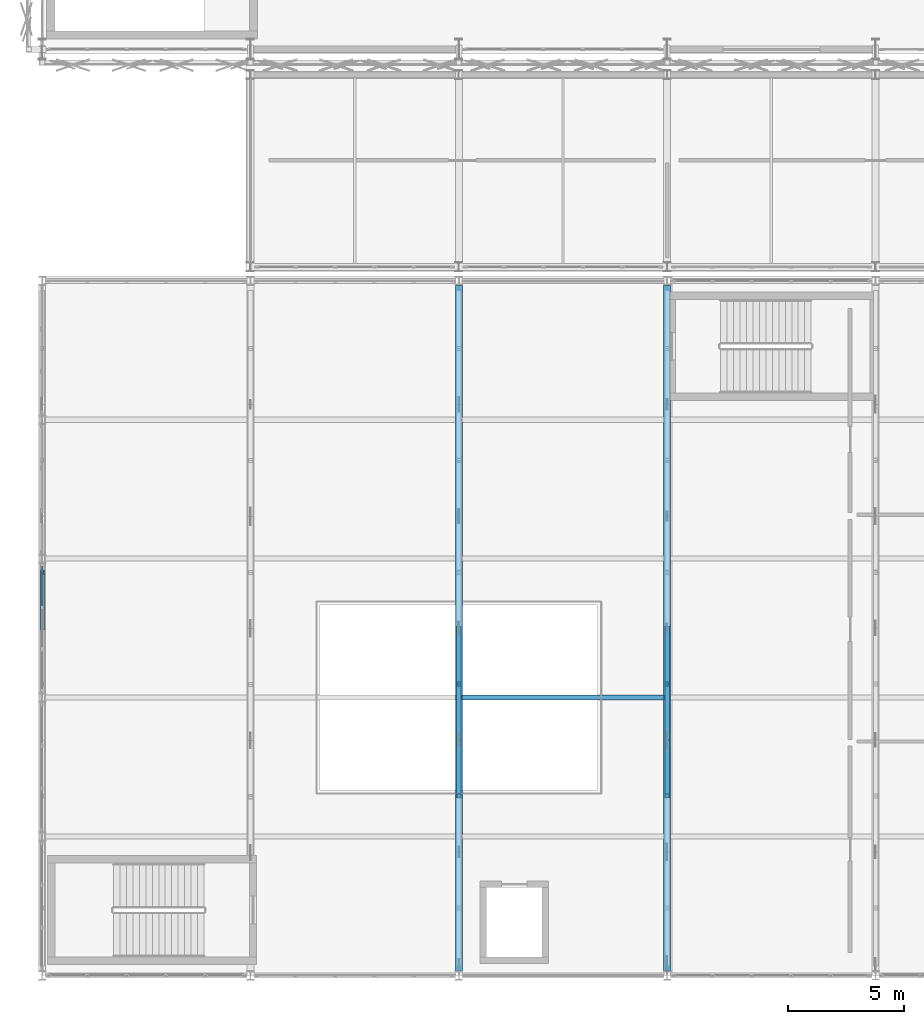
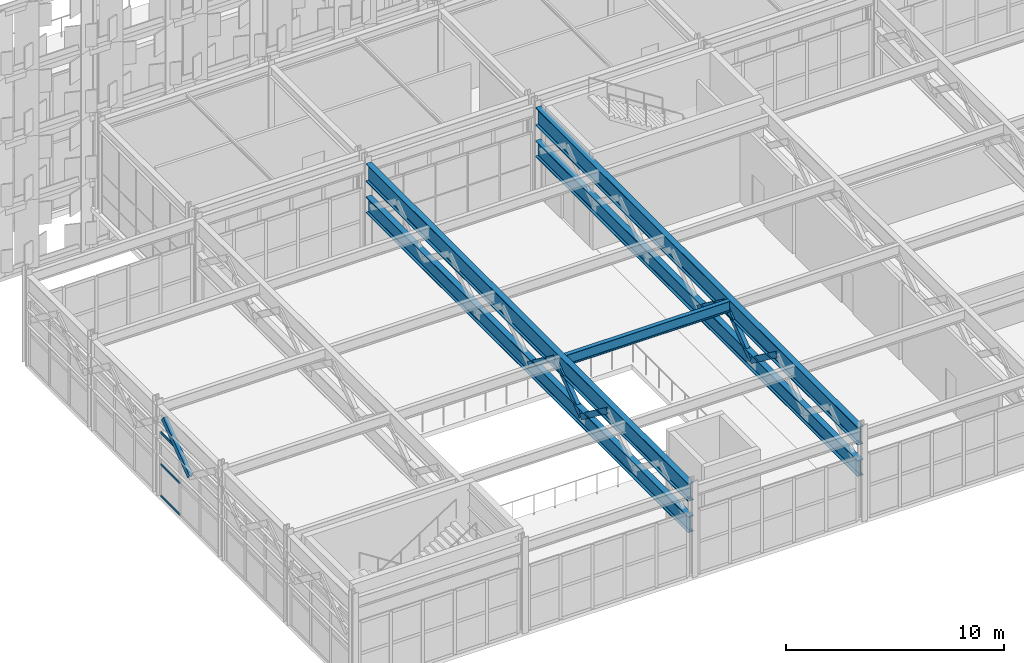
# One storey, part 28 of 210: 10 members, 5 beams, 1 element without a shape of its own.
"""IFC4 building model written with IfcOpenShell, lengths in metres."""

import ifcopenshell
import ifcopenshell.guid

model = None  # the IFC model being written
_history = None  # IfcOwnerHistory: only IFC2X3 demands one
_inside = {}  # id of a spatial element -> (the spatial element, [elements in it])
_under = {}  # id of a project, library or spatial element -> (it, [spatial elements below it])
_declared = {}  # id of a project -> (the project, [libraries it declares])
_typed = {}  # id of a type object -> (the type object, [elements of that type])
_made_of = {}  # id of a material, layer set ... -> (it, [elements and type objects made of it])


def new_model(schema):
    """Start an empty IFC model of exactly this schema.

    Asked for "IFC4X3", IfcOpenShell would pick the latest addendum, in which some entities
    have other attributes; the version numbers below select the first issue.
    IFC2X3 requires an IfcOwnerHistory on every rooted entity: one is made here for all.
    """
    global model, _history
    if schema == "IFC4X3":
        model = ifcopenshell.file(schema_version=(4, 3, 0, 0))
    else:
        model = ifcopenshell.file(schema=schema)
    _inside.clear()
    _under.clear()
    _declared.clear()
    _typed.clear()
    _made_of.clear()
    _history = None
    if model.schema == "IFC2X3":
        org = make("IfcOrganization", Name="unknown")
        user = make(
            "IfcPersonAndOrganization",
            ThePerson=make("IfcPerson", FamilyName="unknown"),
            TheOrganization=org,
        )
        app = make(
            "IfcApplication",
            ApplicationDeveloper=org,
            Version="unknown",
            ApplicationFullName="unknown",
            ApplicationIdentifier="unknown",
        )
        _history = make(
            "IfcOwnerHistory",
            OwningUser=user,
            OwningApplication=app,
            ChangeAction="ADDED",
            CreationDate=0,
        )
    return model


def make(cls, **values):
    """One entity of the class cls with the attributes given. An attribute that is None is left unset."""
    return model.create_entity(
        cls, **{name: value for name, value in values.items() if value is not None}
    )


def rooted(cls, **values):
    """An entity with a GlobalId (a new one), such as an element, a storey or a relation."""
    return make(cls, GlobalId=ifcopenshell.guid.new(), OwnerHistory=_history, **values)


def si_unit(unit_type, name, prefix=None):
    """IfcSIUnit, for example si_unit("LENGTHUNIT", "METRE", prefix="MILLI")."""
    return make("IfcSIUnit", UnitType=unit_type, Prefix=prefix, Name=name)


def assignment(units):
    """IfcUnitAssignment: the units of a project."""
    return None if units is None else make("IfcUnitAssignment", Units=units)


def point(xyz):
    """IfcCartesianPoint."""
    return None if xyz is None else make("IfcCartesianPoint", Coordinates=xyz)


def direction(xyz):
    """IfcDirection."""
    return None if xyz is None else make("IfcDirection", DirectionRatios=xyz)


def frame(location, z_axis=None, x_axis=None):
    """IfcAxis2Placement3D, a coordinate frame: its origin and axes. An axis left out is left unset."""
    return make(
        "IfcAxis2Placement3D",
        Location=point(location),
        Axis=direction(z_axis),
        RefDirection=direction(x_axis),
    )


def frame_2d(location, x_axis=None):
    """IfcAxis2Placement2D, a coordinate frame in the plane: its origin and x axis."""
    return make(
        "IfcAxis2Placement2D", Location=point(location), RefDirection=direction(x_axis)
    )


def origin():
    """The frame at (0, 0, 0) with its axes left unset."""
    return frame((0.0, 0.0, 0.0))


def origin_2d():
    """The frame at (0, 0) in the plane with its x axis left unset."""
    return frame_2d((0.0, 0.0))


def place(relative_to, where):
    """IfcLocalPlacement: puts the frame where relative to a parent placement (None: the world)."""
    return make(
        "IfcLocalPlacement", PlacementRelTo=relative_to, RelativePlacement=where
    )


def context(
    kind, dimensions, precision=None, world=None, true_north=None, identifier=None
):
    """IfcGeometricRepresentationContext, for example the 3D "Model" context."""
    return make(
        "IfcGeometricRepresentationContext",
        ContextIdentifier=identifier,
        ContextType=kind,
        CoordinateSpaceDimension=dimensions,
        Precision=precision,
        WorldCoordinateSystem=world,
        TrueNorth=true_north,
    )


def subcontext(parent, identifier, kind, view, scale=None):
    """IfcGeometricRepresentationSubContext, for example "Body" below "Model"."""
    return make(
        "IfcGeometricRepresentationSubContext",
        ContextIdentifier=identifier,
        ContextType=kind,
        ParentContext=parent,
        TargetScale=scale,
        TargetView=view,
    )


def project(units=None, contexts=None):
    """IfcProject with its units and contexts."""
    return rooted(
        "IfcProject",
        Name="project",
        RepresentationContexts=contexts,
        UnitsInContext=assignment(units),
    )


def spatial(cls, under=None, at=None, **own):
    """A site, building, storey or space (cls), placed at a placement, below another one or the project."""
    s = rooted(cls, ObjectPlacement=at, **own)
    if under is not None:
        _under.setdefault(under.id(), (under, []))[1].append(s)
    return s


def profile(cls, at=None, kind="AREA", **sizes):
    """A parametric profile (cls). Its sizes go by their IFC names, for example OverallWidth=200.0."""
    return make(cls, ProfileType=kind, Position=at, **sizes)


def hollow_rectangle(**sizes):
    """IfcRectangleHollowProfileDef."""
    return profile("IfcRectangleHollowProfileDef", **sizes)


def i_section(**sizes):
    """IfcIShapeProfileDef."""
    return profile("IfcIShapeProfileDef", **sizes)


def extrude(swept, where, along, depth):
    """IfcExtrudedAreaSolid: the profile swept, set in the frame where, extruded along a direction by depth."""
    return make(
        "IfcExtrudedAreaSolid",
        SweptArea=swept,
        Position=where,
        ExtrudedDirection=direction(along),
        Depth=depth,
    )


def shape(context_of_items, identifier, shape_type, items):
    """IfcShapeRepresentation: the items that make up one representation, for example the "Body"."""
    return make(
        "IfcShapeRepresentation",
        ContextOfItems=context_of_items,
        RepresentationIdentifier=identifier,
        RepresentationType=shape_type,
        Items=items,
    )


def material(Name=None, Category=None):
    """IfcMaterial."""
    return make("IfcMaterial", Name=Name, Category=Category)


def material_profile(
    of_material, cross_section, Name=None, Category=None, Priority=None
):
    """IfcMaterialProfile: a cross section and its material."""
    return make(
        "IfcMaterialProfile",
        Name=Name,
        Material=of_material,
        Profile=cross_section,
        Priority=Priority,
        Category=Category,
    )


def profile_set(profiles, Name=None, composite=None):
    """IfcMaterialProfileSet."""
    return make(
        "IfcMaterialProfileSet",
        Name=Name,
        MaterialProfiles=profiles,
        CompositeProfile=composite,
    )


def made_of(thing, what):
    """Note that an element or type object is made of a material, layer set ...; save() writes the relation."""
    if what is not None:
        _made_of.setdefault(what.id(), (what, []))[1].append(thing)
    return thing


def type_object(cls, material=None, **own):
    """A type object (cls), such as IfcWallType, which elements share."""
    return made_of(rooted(cls, **own), material)


def element(
    cls,
    number,
    at=None,
    inside=None,
    cuts=None,
    type_object=None,
    material=None,
    context=None,
    identifier="Body",
    shape_type=None,
    held_by="IfcProductDefinitionShape",
    body=None,
    shapes=None,
    **own,
):
    """One element of the class cls, such as IfcWall. Its Tag is "e" and its number.

    at: its placement. inside: the storey or other place that contains it. cuts: it is an
    opening in that element (IfcRelVoidsElement). A single representation is given by context,
    identifier, shape_type and body (its items); several are given by shapes. held_by: the class
    of the entity that holds the representations. save() writes the other relations.
    """
    e = rooted(cls, Tag="e%d" % number, ObjectPlacement=at, **own)
    if body is not None:
        shapes = [shape(context, identifier, shape_type, body)]
    if shapes is not None:
        e.Representation = make(held_by, Representations=shapes)
    if inside is not None:
        _inside.setdefault(inside.id(), (inside, []))[1].append(e)
    if cuts is not None:
        rooted(
            "IfcRelVoidsElement", RelatingBuildingElement=cuts, RelatedOpeningElement=e
        )
    if type_object is not None:
        _typed.setdefault(type_object.id(), (type_object, []))[1].append(e)
    return made_of(e, material)


def aggregate(whole, parts):
    """IfcRelAggregates: a whole, such as a stair, and the parts it consists of."""
    return rooted("IfcRelAggregates", RelatingObject=whole, RelatedObjects=parts)


def save(model, path):
    """Write the relations noted so far, then the file.

    IfcRelAggregates (storeys below a building ...), IfcRelContainedInSpatialStructure (elements
    in a storey), IfcRelDefinesByType, IfcRelAssociatesMaterial and IfcRelDeclares: one each for
    every whole, place, type object, material and project.
    """
    for whole, parts in _under.values():
        aggregate(whole, parts)
    for where, things in _inside.values():
        rooted(
            "IfcRelContainedInSpatialStructure",
            RelatedElements=things,
            RelatingStructure=where,
        )
    for kind, things in _typed.values():
        rooted("IfcRelDefinesByType", RelatedObjects=things, RelatingType=kind)
    for what, things in _made_of.values():
        rooted("IfcRelAssociatesMaterial", RelatedObjects=things, RelatingMaterial=what)
    for by, libraries in _declared.values():
        rooted("IfcRelDeclares", RelatingContext=by, RelatedDefinitions=libraries)
    model.write(path)


model = new_model("IFC4")

# Units and contexts
model_context = context("Model", 3, precision=1e-05, world=origin(), true_north=direction((0.0, 1.0)))
body_context = subcontext(model_context, "Body", "Model", "MODEL_VIEW")
ifc_project = project(units=[si_unit("LENGTHUNIT", "METRE"), si_unit("AREAUNIT", "SQUARE_METRE"), si_unit("VOLUMEUNIT", "CUBIC_METRE"), si_unit("PLANEANGLEUNIT", "RADIAN"), si_unit("MASSUNIT", "GRAM", prefix="KILO")], contexts=[model_context])

# Site, building, storey
site_placement = place(None, origin())
site = spatial("IfcSite", under=ifc_project, at=site_placement, CompositionType="ELEMENT")
building_placement = place(site_placement, origin())
building = spatial("IfcBuilding", under=site, at=building_placement, Name="Kaldris Quays Convention Centre", CompositionType="ELEMENT")
storey_placement = place(building_placement, frame((0.0, 0.0, 6.0)))
storey = spatial("IfcBuildingStorey", under=building, at=storey_placement, Name="L01", CompositionType="ELEMENT", Elevation=6.0)

# Curtain wall, members
ifc_material_1 = material(Name="Anodized aluminium AW-6060 and triple glazing", Category="aluminium")
curtain_wall_type = type_object("IfcCurtainWallType", Name="UNITISED CURTAIN WALL CW05", PredefinedType="NOTDEFINED", material=ifc_material_1)
curtain_wall_placement = place(storey_placement, origin())
curtain_wall = element("IfcCurtainWall", 1, at=curtain_wall_placement, inside=storey, type_object=curtain_wall_type, Name="L01 Unitised Curtain Wall CW05 75", PredefinedType="NOTDEFINED")
ifc_material_2 = material(Name="Anodized aluminium AW-6060", Category="aluminium")
ifc_material_profile_1 = material_profile(ifc_material_2, hollow_rectangle(XDim=0.06005859375, YDim=0.1201171875, WallThickness=0.00390625, at=origin_2d()), Name="RHS 120x60x4")
ifc_profile_set_1 = profile_set([ifc_material_profile_1], Name="Anodized aluminium AW-6060")
member_type_1 = type_object("IfcMemberType", Name="CURTAIN TRANSOM CWT1", PredefinedType="USERDEFINED", material=ifc_profile_set_1)
member_1_placement = place(storey_placement, frame((20.0, 31.94677734375, 0.030029296875), z_axis=(0.0, 1.0, 0.0), x_axis=(-1.0, 0.0, 0.0)))
member_1 = element("IfcMember", 2, at=member_1_placement, type_object=member_type_1, Name="CW05 transom 3.1", ObjectType="TRANSOM", PredefinedType="USERDEFINED", context=body_context, shape_type="SweptSolid", body=[
    extrude(hollow_rectangle(XDim=0.06005859375, YDim=0.1201171875, WallThickness=0.00390625, at=origin_2d()), origin(), (0.0, 0.0, 1.0), 1.7431640625),
])
member_2_placement = place(storey_placement, frame((20.0, 31.94677734375, 1.800048828125), z_axis=(0.0, 1.0, 0.0), x_axis=(-1.0, 0.0, 0.0)))
member_2 = element("IfcMember", 3, at=member_2_placement, type_object=member_type_1, Name="CW05 transom 3.2", ObjectType="TRANSOM", PredefinedType="USERDEFINED", context=body_context, shape_type="SweptSolid", body=[
    extrude(hollow_rectangle(XDim=0.06005859375, YDim=0.1201171875, WallThickness=0.00390625, at=origin_2d()), origin(), (0.0, 0.0, 1.0), 1.7431640625),
])
member_3_placement = place(storey_placement, frame((20.0, 31.94677734375, 3.570068359375), z_axis=(0.0, 1.0, 0.0), x_axis=(-1.0, 0.0, 0.0)))
member_3 = element("IfcMember", 4, at=member_3_placement, type_object=member_type_1, Name="CW05 transom 3.3", ObjectType="TRANSOM", PredefinedType="USERDEFINED", context=body_context, shape_type="SweptSolid", body=[
    extrude(hollow_rectangle(XDim=0.06005859375, YDim=0.1201171875, WallThickness=0.00390625, at=origin_2d()), origin(), (0.0, 0.0, 1.0), 1.7431640625),
])
aggregate(curtain_wall, [member_1, member_2, member_3])

# Beams
ifc_material_3 = material(Name="Steel S460ML", Category="steel")
ifc_material_profile_2 = material_profile(ifc_material_3, i_section(OverallWidth=0.300048828125, OverallDepth=1.0, WebThickness=0.01904296875, FlangeThickness=0.035888671875, FilletRadius=0.030029296875, at=origin_2d()), Name="HEB 1000")
ifc_profile_set_2 = profile_set([ifc_material_profile_2], Name="Steel S460ML")
beam_type_1 = type_object("IfcBeamType", Name="STRUCTURAL BEAM BM01", PredefinedType="BEAM", material=ifc_profile_set_2)
for number, where, z_axis, x_axis, name in (
    (5, (38.0, 16.19140625, 4.55810546875), (0.0, 1.0, 0.0), (-1.0, 0.0, 0.0), "Transfer Truss TT03 Top Chord"),
    (6, (47.0, 16.19140625, 4.55810546875), (0.0, 1.0, 0.0), (-1.0, 0.0, 0.0), "Transfer Truss TT04 Top Chord"),
):
    element("IfcBeam", number, at=place(storey_placement, frame(where, z_axis=z_axis, x_axis=x_axis)), inside=storey, type_object=beam_type_1, Name=name, PredefinedType="BEAM", context=body_context, shape_type="SweptSolid", body=[
        extrude(i_section(OverallWidth=0.300048828125, OverallDepth=1.0, WebThickness=0.01904296875, FlangeThickness=0.035888671875, FilletRadius=0.030029296875, at=origin_2d()), origin(), (0.0, 0.0, 1.0), 29.6171875),
    ])
ifc_material_4 = material(Name="Steel S355J2", Category="steel")
ifc_material_profile_3 = material_profile(ifc_material_4, i_section(OverallWidth=0.300048828125, OverallDepth=0.89990234375, WebThickness=0.0185546875, FlangeThickness=0.034912109375, FilletRadius=0.030029296875, at=origin_2d()), Name="HEB 900")
ifc_profile_set_3 = profile_set([ifc_material_profile_3], Name="Steel S355J2")
beam_type_2 = type_object("IfcBeamType", Name="STRUCTURAL BEAM BM02", PredefinedType="BEAM", material=ifc_profile_set_3)
for number, where, z_axis, x_axis, name in (
    (7, (38.0, 16.19140625, 2.75), (0.0, 1.0, 0.0), (-1.0, 0.0, 0.0), "Transfer Truss TT03 Bottom Chord"),
    (8, (47.0, 16.19140625, 2.75), (0.0, 1.0, 0.0), (-1.0, 0.0, 0.0), "Transfer Truss TT04 Bottom Chord"),
):
    element("IfcBeam", number, at=place(storey_placement, frame(where, z_axis=z_axis, x_axis=x_axis)), inside=storey, type_object=beam_type_2, Name=name, PredefinedType="BEAM", context=body_context, shape_type="SweptSolid", body=[
        extrude(i_section(OverallWidth=0.300048828125, OverallDepth=0.89990234375, WebThickness=0.0185546875, FlangeThickness=0.034912109375, FilletRadius=0.030029296875, at=origin_2d()), origin(), (0.0, 0.0, 1.0), 29.6171875),
    ])
ifc_material_profile_4 = material_profile(ifc_material_4, i_section(OverallWidth=0.219970703125, OverallDepth=0.60009765625, WebThickness=0.011962890625, FlangeThickness=0.01904296875, FilletRadius=0.02392578125, at=origin_2d()), Name="IPE 600")
ifc_profile_set_4 = profile_set([ifc_material_profile_4], Name="Steel S355J2")
beam_type_3 = type_object("IfcBeamType", Name="STRUCTURAL BEAM BM10", PredefinedType="BEAM", material=ifc_profile_set_4)
beam_placement = place(storey_placement, frame((38.14501953125, 28.0, 4.758056640625), z_axis=(1.0, 0.0, 0.0), x_axis=(0.0, 1.0, 0.0)))
element("IfcBeam", 9, at=beam_placement, inside=storey, type_object=beam_type_3, Name="L01 Ballroom Tie Beam BM10", PredefinedType="BEAM", context=body_context, shape_type="SweptSolid", body=[
    extrude(i_section(OverallWidth=0.219970703125, OverallDepth=0.60009765625, WebThickness=0.011962890625, FlangeThickness=0.01904296875, FilletRadius=0.02392578125, at=origin_2d()), origin(), (0.0, 0.0, 1.0), 8.7099609375),
])

# Members
ifc_material_5 = material(Name="Steel S355J2H", Category="steel")
ifc_material_profile_5 = material_profile(ifc_material_5, hollow_rectangle(XDim=0.199951171875, YDim=0.300048828125, WallThickness=0.012451171875, at=origin_2d()), Name="RHS 300x200x12.5")
ifc_profile_set_5 = profile_set([ifc_material_profile_5], Name="Steel S355J2H")
member_type_2 = type_object("IfcMemberType", Name="STRUCTURAL MEMBER TTD1", PredefinedType="BRACE", material=ifc_profile_set_5)
for number, where, z_axis, x_axis, name in (
    (10, (20.0, 31.0, 2.75), (0.0, 0.800708018983, 0.599054812464), (-1.0, 0.0, 0.0), "Transfer Truss TT01 Diagonal 7"),
    (11, (38.0, 26.166748046875, 2.75), (0.0, -0.800708018983, 0.599054812464), (1.0, 0.0, 0.0), "Transfer Truss TT03 Diagonal 4"),
):
    element("IfcMember", number, at=place(storey_placement, frame(where, z_axis=z_axis, x_axis=x_axis)), inside=storey, type_object=member_type_2, Name=name, PredefinedType="BRACE", context=body_context, shape_type="SweptSolid", body=[
        extrude(hollow_rectangle(XDim=0.199951171875, YDim=0.300048828125, WallThickness=0.012451171875, at=origin_2d()), origin(), (0.0, 0.0, 1.0), 3.018310546875),
    ])
member_4_placement = place(storey_placement, frame((38.0, 26.166748046875, 2.75), z_axis=(0.0, 0.800678988238, 0.599093613548), x_axis=(-1.0, 0.0, 0.0)))
element("IfcMember", 12, at=member_4_placement, inside=storey, type_object=member_type_2, Name="Transfer Truss TT03 Diagonal 5", PredefinedType="BRACE", context=body_context, shape_type="SweptSolid", body=[
    extrude(hollow_rectangle(XDim=0.199951171875, YDim=0.300048828125, WallThickness=0.012451171875, at=origin_2d()), origin(), (0.0, 0.0, 1.0), 3.01806640625),
])
for number, where, z_axis, x_axis, name in (
    (13, (38.0, 31.0, 2.75), (0.0, -0.800708018983, 0.599054812464), (1.0, 0.0, 0.0), "Transfer Truss TT03 Diagonal 6"),
    (14, (47.0, 26.166748046875, 2.75), (0.0, -0.800708018983, 0.599054812464), (1.0, 0.0, 0.0), "Transfer Truss TT04 Diagonal 4"),
):
    element("IfcMember", number, at=place(storey_placement, frame(where, z_axis=z_axis, x_axis=x_axis)), inside=storey, type_object=member_type_2, Name=name, PredefinedType="BRACE", context=body_context, shape_type="SweptSolid", body=[
        extrude(hollow_rectangle(XDim=0.199951171875, YDim=0.300048828125, WallThickness=0.012451171875, at=origin_2d()), origin(), (0.0, 0.0, 1.0), 3.018310546875),
    ])
member_5_placement = place(storey_placement, frame((47.0, 26.166748046875, 2.75), z_axis=(0.0, 0.800678988238, 0.599093613548), x_axis=(-1.0, 0.0, 0.0)))
element("IfcMember", 15, at=member_5_placement, inside=storey, type_object=member_type_2, Name="Transfer Truss TT04 Diagonal 5", PredefinedType="BRACE", context=body_context, shape_type="SweptSolid", body=[
    extrude(hollow_rectangle(XDim=0.199951171875, YDim=0.300048828125, WallThickness=0.012451171875, at=origin_2d()), origin(), (0.0, 0.0, 1.0), 3.01806640625),
])
member_6_placement = place(storey_placement, frame((47.0, 31.0, 2.75), z_axis=(0.0, -0.800708018983, 0.599054812464), x_axis=(1.0, 0.0, 0.0)))
element("IfcMember", 16, at=member_6_placement, inside=storey, type_object=member_type_2, Name="Transfer Truss TT04 Diagonal 6", PredefinedType="BRACE", context=body_context, shape_type="SweptSolid", body=[
    extrude(hollow_rectangle(XDim=0.199951171875, YDim=0.300048828125, WallThickness=0.012451171875, at=origin_2d()), origin(), (0.0, 0.0, 1.0), 3.018310546875),
])

save(model, "model.ifc")
